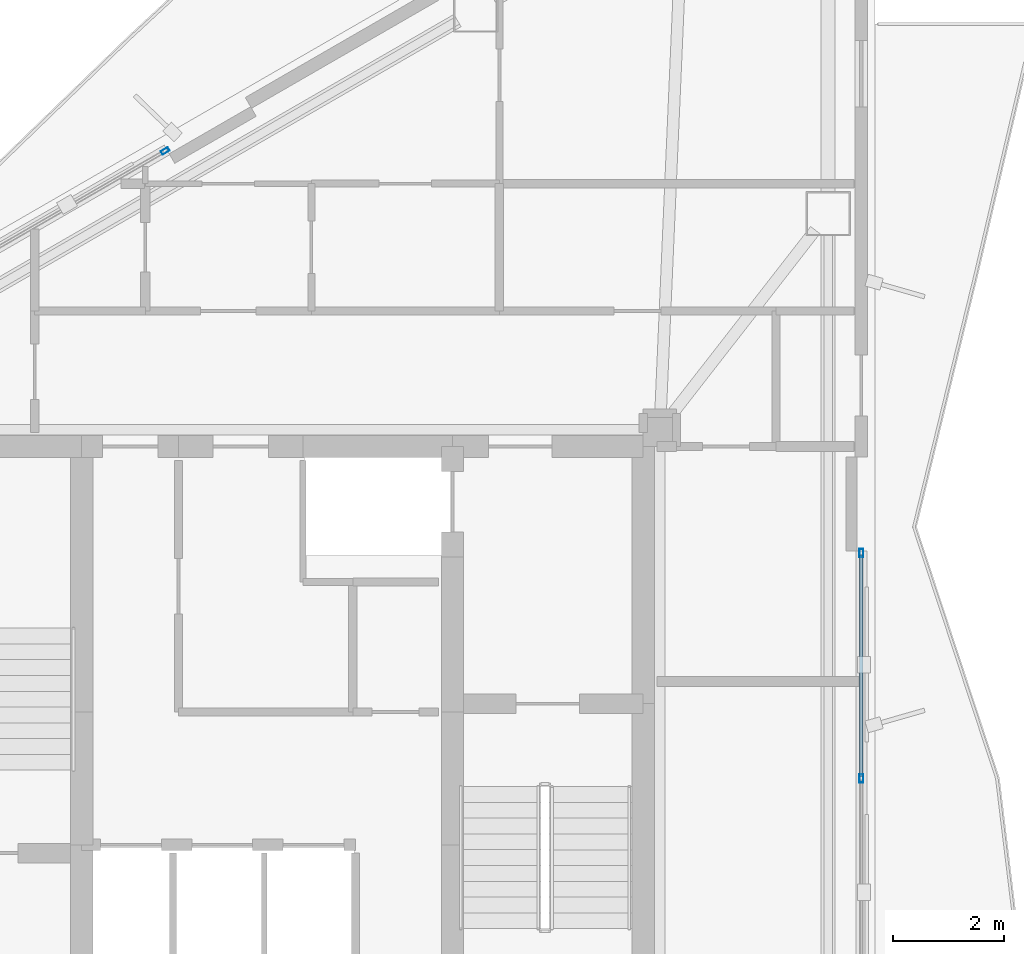
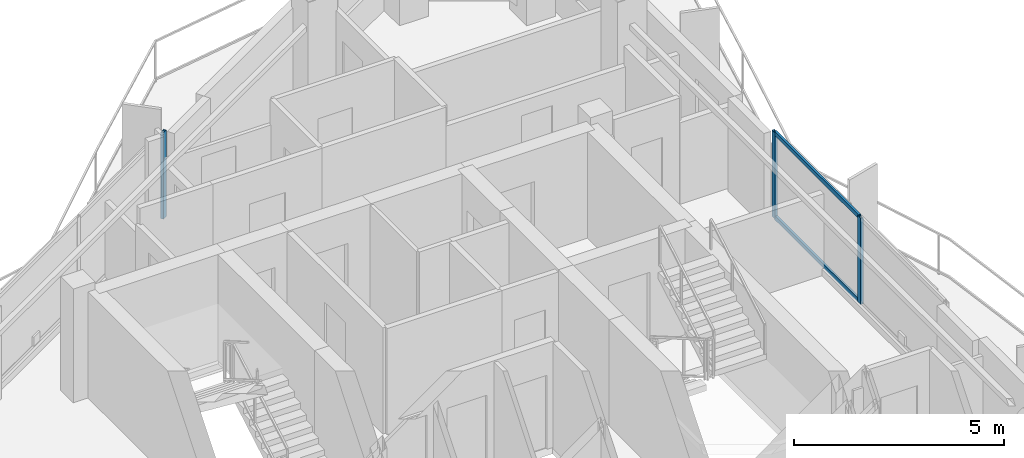
# One storey, part 12 of 18: 5 members, 2 elements without a shape of their own.
"""IFC4 building model written with IfcOpenShell, lengths in metres."""

from ifc_helpers import new_model, si_unit, direction, frame, origin, origin_2d, place, context, subcontext, project, spatial, hollow_rectangle, extrude, material, layer, layer_set, material_profile, profile_set, type_object, element, aggregate, save


model = new_model("IFC4")

# Units and contexts
model_context = context("Model", 3, precision=1e-05, world=origin(), true_north=direction((0.0, 1.0)))
body_context = subcontext(model_context, "Body", "Model", "MODEL_VIEW")
ifc_project = project(units=[si_unit("LENGTHUNIT", "METRE"), si_unit("AREAUNIT", "SQUARE_METRE"), si_unit("VOLUMEUNIT", "CUBIC_METRE"), si_unit("PLANEANGLEUNIT", "RADIAN"), si_unit("MASSUNIT", "GRAM", prefix="KILO")], contexts=[model_context])

# Site, building, storey
site_placement = place(None, origin())
site = spatial("IfcSite", under=ifc_project, at=site_placement, CompositionType="ELEMENT")
building_placement = place(site_placement, origin())
building = spatial("IfcBuilding", under=site, at=building_placement, Name="Mersakhor Tower and Convention Hall", CompositionType="ELEMENT")
storey_placement = place(building_placement, frame((0.0, 0.0, 226.5)))
storey = spatial("IfcBuildingStorey", under=building, at=storey_placement, Name="L63", CompositionType="ELEMENT", Elevation=226.5)

# Curtain wall, member
ifc_material_1 = material(Name="Dark solar low-E aluminium curtain wall", Category="aluminium")
ifc_layer = layer(ifc_material_1, 0.179931640625)
ifc_layer_set = layer_set([ifc_layer], Name="Dark solar low-E aluminium curtain wall")
curtain_wall_type = type_object("IfcCurtainWallType", Name="CW-SYS-03", PredefinedType="USERDEFINED", material=ifc_layer_set)
curtain_wall_1_placement = place(storey_placement, origin())
curtain_wall_1 = element("IfcCurtainWall", 1, at=curtain_wall_1_placement, inside=storey, type_object=curtain_wall_type, Name="L63 Dark-Glass Curtain Wall F1-B2", ObjectType="CURTAIN WALL", PredefinedType="USERDEFINED")
ifc_material_2 = material(Name="Anodised aluminium EN AW-6063 T6", Category="aluminium")
ifc_material_profile_1 = material_profile(ifc_material_2, hollow_rectangle(XDim=0.074951171875, YDim=0.14990234375, WallThickness=0.00634765625, at=origin_2d()), Name="RHS 150x75x6.3")
ifc_profile_set_1 = profile_set([ifc_material_profile_1], Name="Anodised aluminium EN AW-6063 T6")
member_type_1 = type_object("IfcMemberType", Name="CWM-150x75", PredefinedType="MULLION", material=ifc_profile_set_1)
member_1_placement = place(storey_placement, frame((27.158935546875, 38.091796875, 0.199951171875), z_axis=(0.0, 0.0, 1.0), x_axis=(-0.500004411169, 0.86602285698, 0.0)))
member_1 = element("IfcMember", 2, at=member_1_placement, type_object=member_type_1, Name="CW-03 mullion 3", PredefinedType="MULLION", context=body_context, shape_type="SweptSolid", body=[
    extrude(hollow_rectangle(XDim=0.074951171875, YDim=0.14990234375, WallThickness=0.00634765625, at=origin_2d()), origin(), (0.0, 0.0, 1.0), 2.5),
])
aggregate(curtain_wall_1, [member_1])

# Curtain wall, members
curtain_wall_2_placement = place(storey_placement, origin())
curtain_wall_2 = element("IfcCurtainWall", 3, at=curtain_wall_2_placement, inside=storey, type_object=curtain_wall_type, Name="L63 Dark-Glass Curtain Wall F2-B2", ObjectType="CURTAIN WALL", PredefinedType="USERDEFINED")
member_2_placement = place(storey_placement, frame((39.742919921875, 30.826416015625, 0.199951171875), z_axis=(0.0, 0.0, 1.0), x_axis=(1.0, 0.0, 0.0)))
member_2 = element("IfcMember", 4, at=member_2_placement, type_object=member_type_1, Name="CW-03 mullion 1", PredefinedType="MULLION", context=body_context, shape_type="SweptSolid", body=[
    extrude(hollow_rectangle(XDim=0.074951171875, YDim=0.14990234375, WallThickness=0.00634765625, at=origin_2d()), origin(), (0.0, 0.0, 1.0), 2.5),
])
member_3_placement = place(storey_placement, frame((39.742919921875, 26.75, 0.199951171875), z_axis=(0.0, 0.0, 1.0), x_axis=(1.0, 0.0, 0.0)))
member_3 = element("IfcMember", 5, at=member_3_placement, type_object=member_type_1, Name="CW-03 mullion 2", PredefinedType="MULLION", context=body_context, shape_type="SweptSolid", body=[
    extrude(hollow_rectangle(XDim=0.074951171875, YDim=0.14990234375, WallThickness=0.00634765625, at=origin_2d()), origin(), (0.0, 0.0, 1.0), 2.5),
])
ifc_material_3 = material(Name="Anodised aluminium EN AW-6063 T6", Category="aluminium")
ifc_material_profile_2 = material_profile(ifc_material_3, hollow_rectangle(XDim=0.06005859375, YDim=0.1201171875, WallThickness=0.0048828125, at=origin_2d()), Name="RHS 120x60x5")
ifc_profile_set_2 = profile_set([ifc_material_profile_2], Name="Anodised aluminium EN AW-6063 T6")
member_type_2 = type_object("IfcMemberType", Name="CWT-120x60", PredefinedType="USERDEFINED", material=ifc_profile_set_2)
member_4_placement = place(storey_placement, frame((39.742919921875, 30.788818359375, 0.22998046875), z_axis=(0.0, -1.0, 0.0), x_axis=(1.0, 0.0, 0.0)))
member_4 = element("IfcMember", 6, at=member_4_placement, type_object=member_type_2, Name="CW-03 transom 1.1", ObjectType="TRANSOM", PredefinedType="USERDEFINED", context=body_context, shape_type="SweptSolid", body=[
    extrude(hollow_rectangle(XDim=0.06005859375, YDim=0.1201171875, WallThickness=0.0048828125, at=origin_2d()), origin(), (0.0, 0.0, 1.0), 4.001220703125),
])
member_5_placement = place(storey_placement, frame((39.742919921875, 30.788818359375, 2.669921875), z_axis=(0.0, -1.0, 0.0), x_axis=(1.0, 0.0, 0.0)))
member_5 = element("IfcMember", 7, at=member_5_placement, type_object=member_type_2, Name="CW-03 transom 1.2", ObjectType="TRANSOM", PredefinedType="USERDEFINED", context=body_context, shape_type="SweptSolid", body=[
    extrude(hollow_rectangle(XDim=0.06005859375, YDim=0.1201171875, WallThickness=0.0048828125, at=origin_2d()), origin(), (0.0, 0.0, 1.0), 4.001220703125),
])
aggregate(curtain_wall_2, [member_2, member_3, member_4, member_5])

save(model, "model.ifc")
